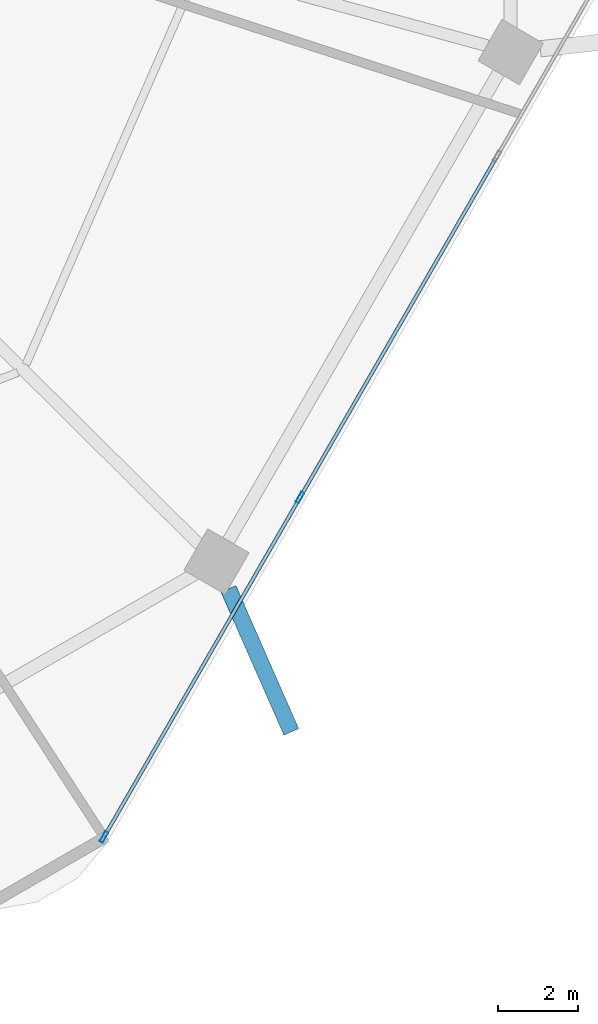
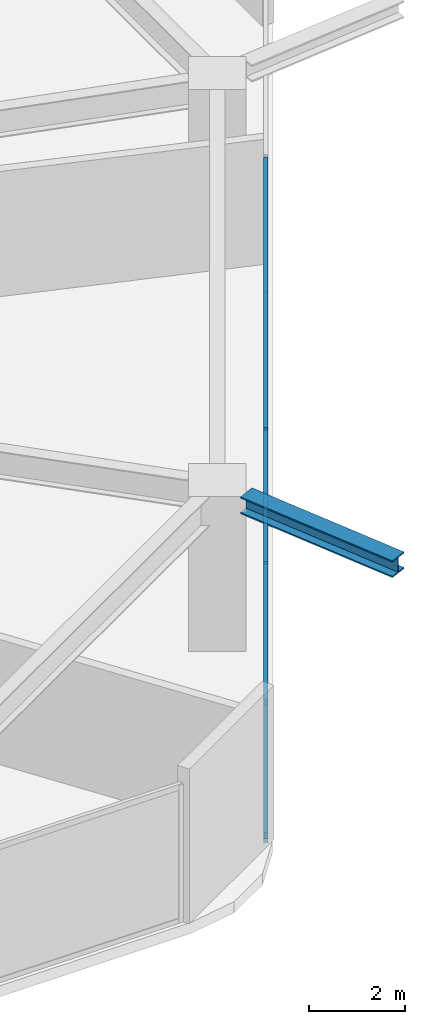
# One storey, part 9 of 25: 6 members, 1 beam, 1 element without a shape of its own.
"""IFC4 building model written with IfcOpenShell, lengths in metres."""

from ifc_helpers import new_model, si_unit, direction, frame, origin, origin_2d, place, context, subcontext, project, spatial, hollow_rectangle, i_section, extrude, material, material_profile, profile_set, type_object, element, aggregate, save


model = new_model("IFC4")

# Units and contexts
model_context = context("Model", 3, precision=1e-05, world=origin(), true_north=direction((0.0, 1.0)))
body_context = subcontext(model_context, "Body", "Model", "MODEL_VIEW")
ifc_project = project(units=[si_unit("LENGTHUNIT", "METRE"), si_unit("AREAUNIT", "SQUARE_METRE"), si_unit("VOLUMEUNIT", "CUBIC_METRE"), si_unit("PLANEANGLEUNIT", "RADIAN"), si_unit("MASSUNIT", "GRAM", prefix="KILO")], contexts=[model_context])

# Site, building, storey
site_placement = place(None, origin())
site = spatial("IfcSite", under=ifc_project, at=site_placement, CompositionType="ELEMENT")
building_placement = place(site_placement, origin())
building = spatial("IfcBuilding", under=site, at=building_placement, Name="Zuhravey Tower", CompositionType="ELEMENT")
storey_placement = place(building_placement, frame((0.0, 0.0, 20.39990234375)))
storey = spatial("IfcBuildingStorey", under=building, at=storey_placement, Name="L05", CompositionType="ELEMENT", Elevation=20.39990234375)

# Curtain wall, members
ifc_material_1 = material(Name="Thermally broken anodised aluminium", Category="aluminium")
curtain_wall_type = type_object("IfcCurtainWallType", Name="School Low-E Unitised Curtain Wall CW1", PredefinedType="NOTDEFINED", material=ifc_material_1)
curtain_wall_placement = place(storey_placement, origin())
curtain_wall = element("IfcCurtainWall", 1, at=curtain_wall_placement, inside=storey, type_object=curtain_wall_type, Name="L05 CW1 CW-L05-F6-1", PredefinedType="NOTDEFINED")
ifc_material_2 = material(Name="Anodised aluminium", Category="aluminium")
ifc_material_profile_1 = material_profile(ifc_material_2, hollow_rectangle(XDim=0.090087890625, YDim=0.284912109375, WallThickness=0.0048828125, at=origin_2d()), Name="ALU-RHS-90x285x5")
ifc_profile_set_1 = profile_set([ifc_material_profile_1], Name="Anodised aluminium")
member_type_1 = type_object("IfcMemberType", Name="Curtain-Wall Mullion 90x180", PredefinedType="MULLION", material=ifc_profile_set_1)
member_1_placement = place(storey_placement, frame((58.612060546875, 13.24853515625, 0.0), z_axis=(0.0, 0.0, 1.0), x_axis=(0.86602552265, -0.499999794119, 0.0)))
member_1 = element("IfcMember", 2, at=member_1_placement, type_object=member_type_1, Name="CW1 mullion 3", PredefinedType="MULLION", context=body_context, shape_type="SweptSolid", body=[
    extrude(hollow_rectangle(XDim=0.090087890625, YDim=0.284912109375, WallThickness=0.0048828125, at=origin_2d()), origin(), (0.0, 0.0, 1.0), 3.4921875),
])
member_2_placement = place(storey_placement, frame((53.701416015625, 4.742919921875, 0.0), z_axis=(0.0, 0.0, 1.0), x_axis=(0.86602552265, -0.499999794119, 0.0)))
member_2 = element("IfcMember", 3, at=member_2_placement, type_object=member_type_1, Name="CW1 mullion 4", PredefinedType="MULLION", context=body_context, shape_type="SweptSolid", body=[
    extrude(hollow_rectangle(XDim=0.090087890625, YDim=0.284912109375, WallThickness=0.0048828125, at=origin_2d()), origin(), (0.0, 0.0, 1.0), 3.4921875),
])
ifc_material_profile_2 = material_profile(ifc_material_2, hollow_rectangle(XDim=0.090087890625, YDim=0.14990234375, WallThickness=0.0048828125, at=origin_2d()), Name="ALU-RHS-90x150x5")
ifc_profile_set_2 = profile_set([ifc_material_profile_2], Name="Anodised aluminium")
member_type_2 = type_object("IfcMemberType", Name="Curtain-Wall Transom 90x150", PredefinedType="USERDEFINED", material=ifc_profile_set_2)
member_3_placement = place(storey_placement, frame((63.52294921875, 21.754150390625, 0.045166015625), z_axis=(-0.499990498062, -0.866030889661, 0.0), x_axis=(0.866030889661, -0.499990498062, 0.0)))
member_3 = element("IfcMember", 4, at=member_3_placement, type_object=member_type_2, Name="CW1 transom 2.1", ObjectType="TRANSOM", PredefinedType="USERDEFINED", context=body_context, shape_type="SweptSolid", body=[
    extrude(hollow_rectangle(XDim=0.090087890625, YDim=0.14990234375, WallThickness=0.0048828125, at=origin_2d()), origin(), (0.0, 0.0, 1.0), 9.776611328125),
])
member_4_placement = place(storey_placement, frame((63.52294921875, 21.754150390625, 3.447021484375), z_axis=(-0.499990498062, -0.866030889661, 0.0), x_axis=(0.866030889661, -0.499990498062, 0.0)))
member_4 = element("IfcMember", 5, at=member_4_placement, type_object=member_type_2, Name="CW1 transom 2.2", ObjectType="TRANSOM", PredefinedType="USERDEFINED", context=body_context, shape_type="SweptSolid", body=[
    extrude(hollow_rectangle(XDim=0.090087890625, YDim=0.14990234375, WallThickness=0.0048828125, at=origin_2d()), origin(), (0.0, 0.0, 1.0), 9.776611328125),
])
member_5_placement = place(storey_placement, frame((58.589599609375, 13.20947265625, 0.045166015625), z_axis=(-0.499989576763, -0.86603142156, 0.0), x_axis=(0.86603142156, -0.499989576763, 0.0)))
member_5 = element("IfcMember", 6, at=member_5_placement, type_object=member_type_2, Name="CW1 transom 3.1", ObjectType="TRANSOM", PredefinedType="USERDEFINED", context=body_context, shape_type="SweptSolid", body=[
    extrude(hollow_rectangle(XDim=0.090087890625, YDim=0.14990234375, WallThickness=0.0048828125, at=origin_2d()), origin(), (0.0, 0.0, 1.0), 9.731201171875),
])
member_6_placement = place(storey_placement, frame((58.589599609375, 13.20947265625, 3.447021484375), z_axis=(-0.499989576763, -0.86603142156, 0.0), x_axis=(0.86603142156, -0.499989576763, 0.0)))
member_6 = element("IfcMember", 7, at=member_6_placement, type_object=member_type_2, Name="CW1 transom 3.2", ObjectType="TRANSOM", PredefinedType="USERDEFINED", context=body_context, shape_type="SweptSolid", body=[
    extrude(hollow_rectangle(XDim=0.090087890625, YDim=0.14990234375, WallThickness=0.0048828125, at=origin_2d()), origin(), (0.0, 0.0, 1.0), 9.731201171875),
])
aggregate(curtain_wall, [member_1, member_2, member_3, member_4, member_5, member_6])

# Beam
ifc_material_3 = material(Name="Steel SM460", Category="steel")
ifc_material_profile_3 = material_profile(ifc_material_3, i_section(OverallWidth=0.406982421875, OverallDepth=0.427978515625, WebThickness=0.02001953125, FlangeThickness=0.034912109375, at=origin_2d()), Name="H-428x407x20x35")
ifc_profile_set_3 = profile_set([ifc_material_profile_3], Name="Steel SM460")
beam_type = type_object("IfcBeamType", Name="Exoskeleton Node Tie Beam H428x407", PredefinedType="BEAM", material=ifc_profile_set_3)
beam_placement = place(storey_placement, frame((56.820068359375, 10.9580078125, 3.7060546875), z_axis=(0.402366403128, -0.915478715009, 0.0), x_axis=(0.915478715009, 0.402366403128, 0.0)))
element("IfcBeam", 8, at=beam_placement, inside=storey, type_object=beam_type, Name="L05 Exoskeleton Node Tie NT1-11", PredefinedType="BEAM", context=body_context, shape_type="SweptSolid", body=[
    extrude(i_section(OverallWidth=0.406982421875, OverallDepth=0.427978515625, WebThickness=0.02001953125, FlangeThickness=0.034912109375, at=origin_2d()), origin(), (0.0, 0.0, 1.0), 3.9130859375),
])

save(model, "model.ifc")
